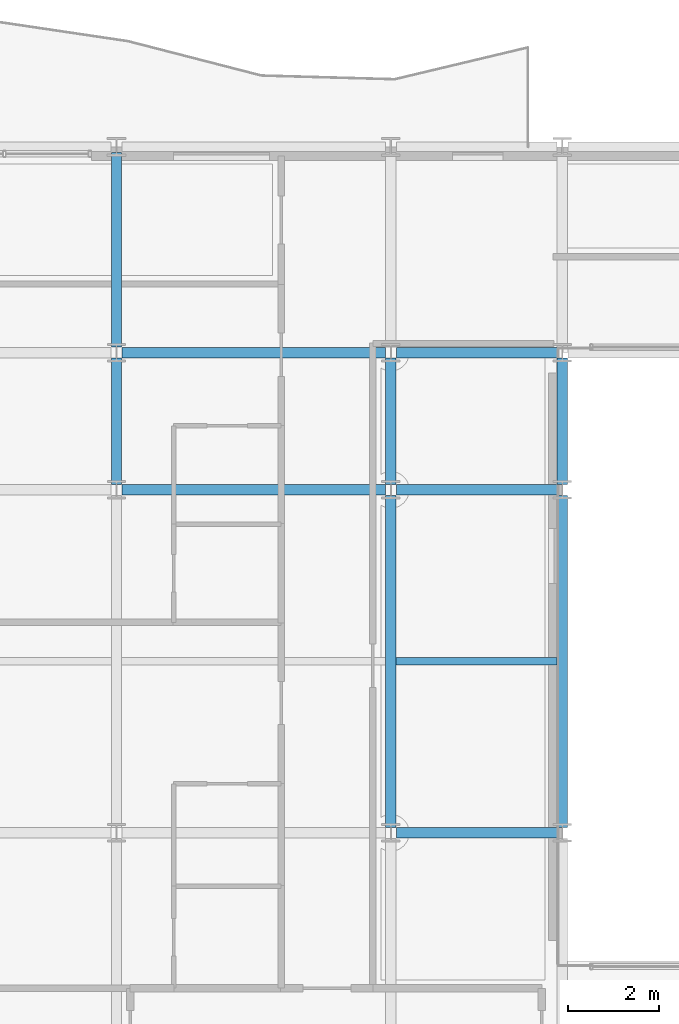
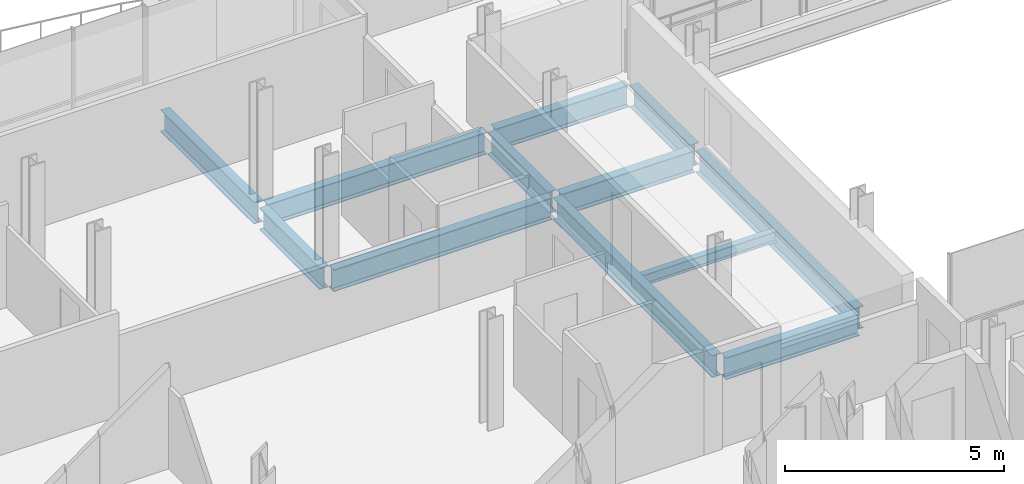
# One storey, part 10 of 41: 12 beams.
"""IFC4 building model written with IfcOpenShell, lengths in metres."""

from ifc_helpers import new_model, si_unit, direction, frame, origin, origin_2d, place, context, subcontext, project, spatial, i_section, extrude, material, material_profile, profile_set, type_object, element, save


model = new_model("IFC4")

# Units and contexts
model_context = context("Model", 3, precision=1e-05, world=origin(), true_north=direction((0.0, 1.0)))
body_context = subcontext(model_context, "Body", "Model", "MODEL_VIEW")
ifc_project = project(units=[si_unit("LENGTHUNIT", "METRE"), si_unit("AREAUNIT", "SQUARE_METRE"), si_unit("VOLUMEUNIT", "CUBIC_METRE"), si_unit("PLANEANGLEUNIT", "RADIAN"), si_unit("MASSUNIT", "GRAM", prefix="KILO")], contexts=[model_context])

# Site, building, storey
site_placement = place(None, origin())
site = spatial("IfcSite", under=ifc_project, at=site_placement, CompositionType="ELEMENT")
building_placement = place(site_placement, origin())
building = spatial("IfcBuilding", under=site, at=building_placement, Name="Brevholm Reach", CompositionType="ELEMENT")
storey_placement = place(building_placement, frame((0.0, 0.0, 169.699951171875)))
storey = spatial("IfcBuildingStorey", under=building, at=storey_placement, Name="L51", CompositionType="ELEMENT", Elevation=169.699951171875)

# Beams
ifc_material_1 = material(Name="Structural Steel S355J2", Category="steel")
ifc_material_profile_1 = material_profile(ifc_material_1, i_section(OverallWidth=0.1650390625, OverallDepth=0.303466796875, WebThickness=0.006103515625, FlangeThickness=0.01025390625, FilletRadius=0.0087890625, at=origin_2d()), Name="UKB 305x165x40")
ifc_profile_set_1 = profile_set([ifc_material_profile_1], Name="Structural Steel S355J2")
beam_type_1 = type_object("IfcBeamType", Name="BM-B305", PredefinedType="BEAM", material=ifc_profile_set_1)
beam_1_placement = place(storey_placement, frame((18.114501953125, 19.75, -0.37158203125), z_axis=(1.0, 0.0, 0.0), x_axis=(0.0, 1.0, 0.0)))
element("IfcBeam", 1, at=beam_1_placement, inside=storey, type_object=beam_type_1, Name="L51 Composite Secondary Floor Beam", PredefinedType="BEAM", context=body_context, shape_type="SweptSolid", body=[
    extrude(i_section(OverallWidth=0.1650390625, OverallDepth=0.303466796875, WebThickness=0.006103515625, FlangeThickness=0.01025390625, FilletRadius=0.0087890625, at=origin_2d()), origin(), (0.0, 0.0, 1.0), 3.52099609375),
])
ifc_material_2 = material(Name="Structural Steel S355J2", Category="steel")
ifc_material_profile_2 = material_profile(ifc_material_2, i_section(OverallWidth=0.22900390625, OverallDepth=0.6123046875, WebThickness=0.011962890625, FlangeThickness=0.01953125, FilletRadius=0.0126953125, at=origin_2d()), Name="UKB 610x229x125")
ifc_profile_set_2 = profile_set([ifc_material_profile_2], Name="Structural Steel S355J2")
beam_type_2 = type_object("IfcBeamType", Name="BM-SP610", PredefinedType="SPANDREL", material=ifc_profile_set_2)
beam_2_placement = place(storey_placement, frame((18.1201171875, 16.0, -0.526123046875), z_axis=(1.0, 0.0, 0.0), x_axis=(0.0, 1.0, 0.0)))
element("IfcBeam", 2, at=beam_2_placement, inside=storey, type_object=beam_type_2, Name="L51 SP-01 Framing Beam", PredefinedType="SPANDREL", context=body_context, shape_type="SweptSolid", body=[
    extrude(i_section(OverallWidth=0.22900390625, OverallDepth=0.6123046875, WebThickness=0.011962890625, FlangeThickness=0.01953125, FilletRadius=0.0126953125, at=origin_2d()), origin(), (0.0, 0.0, 1.0), 3.509765625),
])
beam_3_placement = place(storey_placement, frame((12.1201171875, 23.5, -0.526123046875), z_axis=(1.0, 0.0, 0.0), x_axis=(0.0, 1.0, 0.0)))
element("IfcBeam", 3, at=beam_3_placement, inside=storey, type_object=beam_type_2, Name="L51 SP-01 Framing Beam", PredefinedType="SPANDREL", context=body_context, shape_type="SweptSolid", body=[
    extrude(i_section(OverallWidth=0.22900390625, OverallDepth=0.6123046875, WebThickness=0.011962890625, FlangeThickness=0.01953125, FilletRadius=0.0126953125, at=origin_2d()), origin(), (0.0, 0.0, 1.0), 5.759765625),
])
beam_4_placement = place(storey_placement, frame((18.1201171875, 23.5, -0.526123046875), z_axis=(1.0, 0.0, 0.0), x_axis=(0.0, 1.0, 0.0)))
element("IfcBeam", 4, at=beam_4_placement, inside=storey, type_object=beam_type_2, Name="L51 SP-01 Framing Beam", PredefinedType="SPANDREL", context=body_context, shape_type="SweptSolid", body=[
    extrude(i_section(OverallWidth=0.22900390625, OverallDepth=0.6123046875, WebThickness=0.011962890625, FlangeThickness=0.01953125, FilletRadius=0.0126953125, at=origin_2d()), origin(), (0.0, 0.0, 1.0), 3.509765625),
])
beam_5_placement = place(storey_placement, frame((12.1201171875, 26.5, -0.526123046875), z_axis=(1.0, 0.0, 0.0), x_axis=(0.0, 1.0, 0.0)))
element("IfcBeam", 5, at=beam_5_placement, inside=storey, type_object=beam_type_2, Name="L51 SP-01 Framing Beam", PredefinedType="SPANDREL", context=body_context, shape_type="SweptSolid", body=[
    extrude(i_section(OverallWidth=0.22900390625, OverallDepth=0.6123046875, WebThickness=0.011962890625, FlangeThickness=0.01953125, FilletRadius=0.0126953125, at=origin_2d()), origin(), (0.0, 0.0, 1.0), 5.759765625),
])
beam_6_placement = place(storey_placement, frame((18.1201171875, 26.5, -0.526123046875), z_axis=(1.0, 0.0, 0.0), x_axis=(0.0, 1.0, 0.0)))
element("IfcBeam", 6, at=beam_6_placement, inside=storey, type_object=beam_type_2, Name="L51 SP-01 Framing Beam", PredefinedType="SPANDREL", context=body_context, shape_type="SweptSolid", body=[
    extrude(i_section(OverallWidth=0.22900390625, OverallDepth=0.6123046875, WebThickness=0.011962890625, FlangeThickness=0.01953125, FilletRadius=0.0126953125, at=origin_2d()), origin(), (0.0, 0.0, 1.0), 3.509765625),
])
beam_7_placement = place(storey_placement, frame((12.0, 23.6201171875, -0.526123046875), z_axis=(0.0, 1.0, 0.0), x_axis=(-1.0, 0.0, 0.0)))
element("IfcBeam", 7, at=beam_7_placement, inside=storey, type_object=beam_type_2, Name="L51 SP-01 Framing Beam", PredefinedType="SPANDREL", context=body_context, shape_type="SweptSolid", body=[
    extrude(i_section(OverallWidth=0.22900390625, OverallDepth=0.6123046875, WebThickness=0.011962890625, FlangeThickness=0.01953125, FilletRadius=0.0126953125, at=origin_2d()), origin(), (0.0, 0.0, 1.0), 2.759765625),
])
beam_8_placement = place(storey_placement, frame((12.0, 26.6201171875, -0.526123046875), z_axis=(0.0, 1.0, 0.0), x_axis=(-1.0, 0.0, 0.0)))
element("IfcBeam", 8, at=beam_8_placement, inside=storey, type_object=beam_type_2, Name="L51 SP-01 Framing Beam", PredefinedType="SPANDREL", context=body_context, shape_type="SweptSolid", body=[
    extrude(i_section(OverallWidth=0.22900390625, OverallDepth=0.6123046875, WebThickness=0.011962890625, FlangeThickness=0.01953125, FilletRadius=0.0126953125, at=origin_2d()), origin(), (0.0, 0.0, 1.0), 4.259765625),
])
beam_9_placement = place(storey_placement, frame((18.0, 16.1201171875, -0.526123046875), z_axis=(0.0, 1.0, 0.0), x_axis=(-1.0, 0.0, 0.0)))
element("IfcBeam", 9, at=beam_9_placement, inside=storey, type_object=beam_type_2, Name="L51 SP-01 Framing Beam", PredefinedType="SPANDREL", context=body_context, shape_type="SweptSolid", body=[
    extrude(i_section(OverallWidth=0.22900390625, OverallDepth=0.6123046875, WebThickness=0.011962890625, FlangeThickness=0.01953125, FilletRadius=0.0126953125, at=origin_2d()), origin(), (0.0, 0.0, 1.0), 7.259765625),
])
beam_10_placement = place(storey_placement, frame((18.0, 23.6201171875, -0.526123046875), z_axis=(0.0, 1.0, 0.0), x_axis=(-1.0, 0.0, 0.0)))
element("IfcBeam", 10, at=beam_10_placement, inside=storey, type_object=beam_type_2, Name="L51 SP-01 Framing Beam", PredefinedType="SPANDREL", context=body_context, shape_type="SweptSolid", body=[
    extrude(i_section(OverallWidth=0.22900390625, OverallDepth=0.6123046875, WebThickness=0.011962890625, FlangeThickness=0.01953125, FilletRadius=0.0126953125, at=origin_2d()), origin(), (0.0, 0.0, 1.0), 2.759765625),
])
beam_11_placement = place(storey_placement, frame((21.75, 16.1201171875, -0.526123046875), z_axis=(0.0, 1.0, 0.0), x_axis=(-1.0, 0.0, 0.0)))
element("IfcBeam", 11, at=beam_11_placement, inside=storey, type_object=beam_type_2, Name="L51 SP-01 Framing Beam", PredefinedType="SPANDREL", context=body_context, shape_type="SweptSolid", body=[
    extrude(i_section(OverallWidth=0.22900390625, OverallDepth=0.6123046875, WebThickness=0.011962890625, FlangeThickness=0.01953125, FilletRadius=0.0126953125, at=origin_2d()), origin(), (0.0, 0.0, 1.0), 7.259765625),
])
beam_12_placement = place(storey_placement, frame((21.75, 23.6201171875, -0.526123046875), z_axis=(0.0, 1.0, 0.0), x_axis=(-1.0, 0.0, 0.0)))
element("IfcBeam", 12, at=beam_12_placement, inside=storey, type_object=beam_type_2, Name="L51 SP-01 Framing Beam", PredefinedType="SPANDREL", context=body_context, shape_type="SweptSolid", body=[
    extrude(i_section(OverallWidth=0.22900390625, OverallDepth=0.6123046875, WebThickness=0.011962890625, FlangeThickness=0.01953125, FilletRadius=0.0126953125, at=origin_2d()), origin(), (0.0, 0.0, 1.0), 2.759765625),
])

save(model, "model.ifc")
